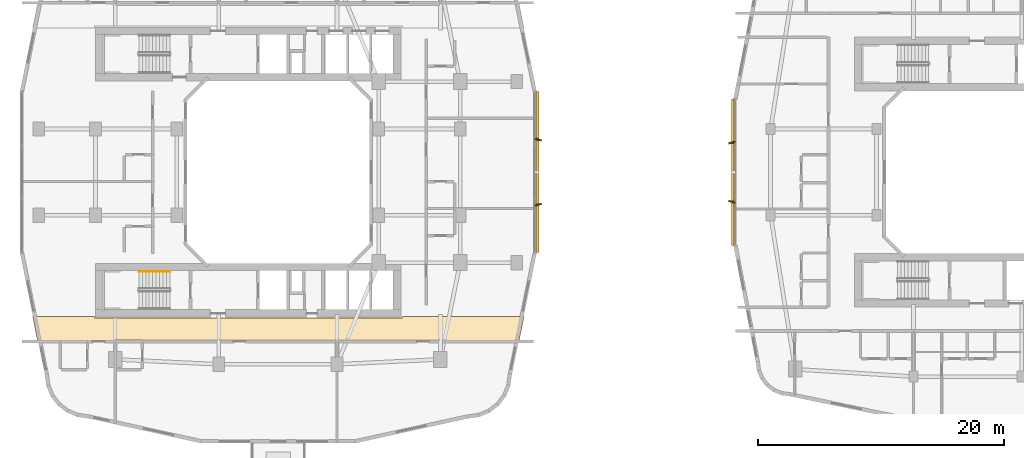
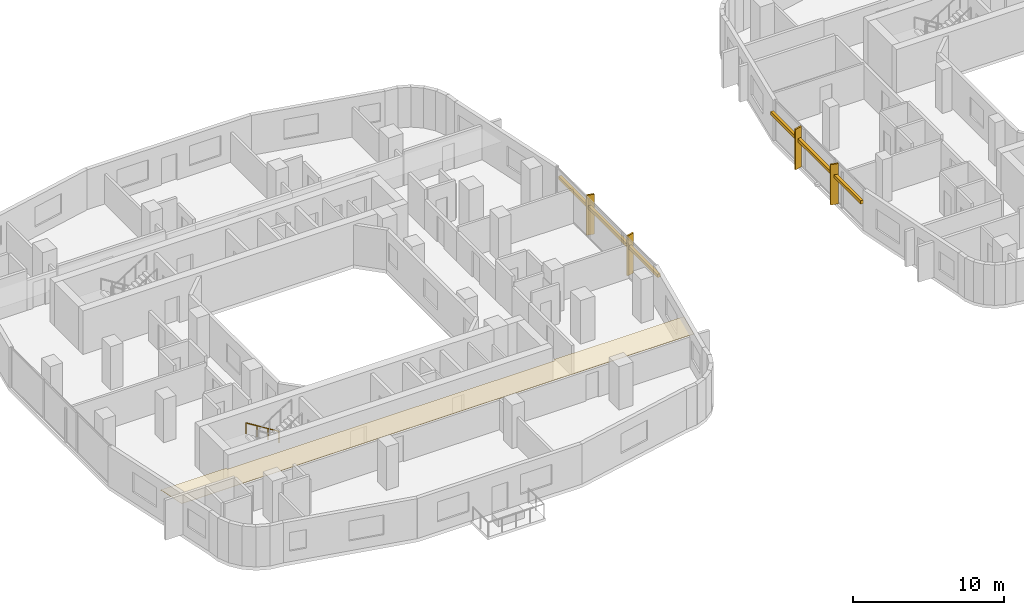
# One storey, part 19 of 22: 6 shading devices, 1 covering, 1 railing.
"""IFC4 building model written with IfcOpenShell, lengths in metres."""

from ifc_helpers import new_model, si_unit, derived_unit, direction, frame, origin, origin_2d, place, context, subcontext, project, spatial, polyline, rectangle, circle, outline, extrude, material, layer, layer_set, type_object, element, save


model = new_model("IFC4")

# Units and contexts
model_context = context("Model", 3, precision=1e-05, world=origin(), true_north=direction((0.0, 1.0)))
body_context = subcontext(model_context, "Body", "Model", "MODEL_VIEW")
ifc_project = project(units=[si_unit("LENGTHUNIT", "METRE"), si_unit("AREAUNIT", "SQUARE_METRE"), si_unit("VOLUMEUNIT", "CUBIC_METRE"), si_unit("PLANEANGLEUNIT", "RADIAN"), si_unit("MASSUNIT", "GRAM", prefix="KILO"), derived_unit("THERMALTRANSMITTANCEUNIT", [(si_unit("POWERUNIT", "WATT"), 1), (si_unit("LENGTHUNIT", "METRE"), -2), (si_unit("THERMODYNAMICTEMPERATUREUNIT", "KELVIN"), -1)])], contexts=[model_context])

# Site, building, storey
site_placement = place(None, origin())
site = spatial("IfcSite", under=ifc_project, at=site_placement, CompositionType="ELEMENT")
building_placement = place(site_placement, origin())
building = spatial("IfcBuilding", under=site, at=building_placement, Name="Kivonza Crest Hotel", CompositionType="ELEMENT")
storey_placement = place(building_placement, frame((0.0, 0.0, 27.5)))
storey = spatial("IfcBuildingStorey", under=building, at=storey_placement, Name="L06", CompositionType="ELEMENT", Elevation=27.5)

# Covering
ifc_material_1 = material(Name="Mineral-fibre acoustic ceiling tile", Category="gypsum")
ifc_layer = layer(ifc_material_1, 0.02490234375)
ifc_layer_set = layer_set([ifc_layer], Name="Mineral-fibre acoustic ceiling tile")
covering_type = type_object("IfcCoveringType", Name="CV-CEIL-ACOU", PredefinedType="CEILING", material=ifc_layer_set)
covering_placement = place(storey_placement, frame((0.0, 0.0, 2.449951171875)))
element("IfcCovering", 1, at=covering_placement, inside=storey, type_object=covering_type, Name="L06 Hotel South Guest Corridor suspended ceiling", PredefinedType="CEILING", context=body_context, shape_type="SweptSolid", body=[
    extrude(outline(polyline([(31.10009765625, 13.2900390625), (31.10009765625, 13.139892578125), (6.10009765625, 13.139892578125), (6.10009765625, 13.280029296875), (1.083984375, 13.280029296875), (1.506103515625, 11.2099609375), (40.573974609375, 11.2099609375), (40.99609375, 13.280029296875), (33.090087890625, 13.280029296875), (33.090087890625, 13.2900390625), (31.10009765625, 13.2900390625)])), origin(), (0.0, 0.0, 1.0), 0.025146484375),
])

# Railing
ifc_material_2 = material(Name="Brushed stainless steel handrail", Category="steel")
railing_type = type_object("IfcRailingType", Name="RL-HAND-900", PredefinedType="HANDRAIL", material=ifc_material_2)
railing_placement = place(storey_placement, frame((12.239990234375, 16.949951171875, 0.175048828125)))
element("IfcRailing", 2, at=railing_placement, inside=storey, type_object=railing_type, Name="L06 ST-T1-S stair handrail 1", PredefinedType="HANDRAIL", context=body_context, shape_type="SweptSolid", body=[
    extrude(circle(Radius=0.02392578125, at=origin_2d()), frame((0.0, 0.0, 0.8759765625), z_axis=(-0.848007534815, 0.0, 0.529984170421), x_axis=(0.0, -1.0, 0.0)), (0.0, 0.0, 1.0), 2.9716796875),
    extrude(circle(Radius=0.02099609375, at=origin_2d()), origin(), (0.0, 0.0, 1.0), 0.851806640625),
    extrude(circle(Radius=0.02099609375, at=origin_2d()), frame((-0.840087890625, 0.0, 0.52490234375)), (0.0, 0.0, 1.0), 0.851806640625),
    extrude(circle(Radius=0.02099609375, at=origin_2d()), frame((-1.679931640625, 0.0, 1.050048828125)), (0.0, 0.0, 1.0), 0.851806640625),
    extrude(circle(Radius=0.02099609375, at=origin_2d()), frame((-2.52001953125, 0.0, 1.574951171875)), (0.0, 0.0, 1.0), 0.851806640625),
])

# Shading devices
ifc_material_3 = material(Name="Kiln-fired Nairobi red-ochre terracotta", Category="masonry")
shading_device_type_1 = type_object("IfcShadingDeviceType", Name="SH-BAGUETTE-300", PredefinedType="USERDEFINED", material=ifc_material_3)
shading_device_1_placement = place(storey_placement, frame((42.080078125, 25.0, 2.1240234375), z_axis=(0.0, 0.0, 1.0), x_axis=(0.0, 1.0, 0.0)))
element("IfcShadingDevice", 3, at=shading_device_1_placement, inside=storey, type_object=shading_device_type_1, Name="L06 terracotta baguette screen CW-T1-L06-17", ObjectType="BAGUETTE", PredefinedType="USERDEFINED", context=body_context, shape_type="SweptSolid", body=[
    extrude(rectangle(XDim=13.080078125, YDim=0.219970703125, at=origin_2d()), origin(), (0.0, 0.0, 1.0), 0.260009765625),
])
shading_device_2_placement = place(storey_placement, frame((57.919921875, 25.0, 2.14501953125), z_axis=(0.0, 0.0, 1.0), x_axis=(0.0, -1.0, 0.0)))
element("IfcShadingDevice", 4, at=shading_device_2_placement, inside=storey, type_object=shading_device_type_1, Name="L06 terracotta baguette screen CW-T2-L06-35", ObjectType="BAGUETTE", PredefinedType="USERDEFINED", context=body_context, shape_type="SweptSolid", body=[
    extrude(rectangle(XDim=11.8798828125, YDim=0.219970703125, at=origin_2d()), origin(), (0.0, 0.0, 1.0), 0.260009765625),
])
ifc_material_4 = material(Name="Kiln-fired terracotta over extruded aluminium spine", Category="masonry")
shading_device_type_2 = type_object("IfcShadingDeviceType", Name="SH-FIN-550", PredefinedType="USERDEFINED", material=ifc_material_4)
for number, where, z_axis, x_axis, name in (
    (5, (42.139892578125, 22.360107421875, 0.0), (0.0, 0.0, 1.0), (-0.2419218956, 0.970295726276, 0.0), "L06 vertical solar shading fin CW-T1-L06-17-1"),
    (6, (42.139892578125, 27.639892578125, 0.0), (0.0, 0.0, 1.0), (0.2419218956, 0.970295726276, 0.0), "L06 vertical solar shading fin CW-T1-L06-17-2"),
):
    element("IfcShadingDevice", number, at=place(storey_placement, frame(where, z_axis=z_axis, x_axis=x_axis)), inside=storey, type_object=shading_device_type_2, Name=name, ObjectType="FIN", PredefinedType="USERDEFINED", context=body_context, shape_type="SweptSolid", body=[
        extrude(rectangle(XDim=0.1201171875, YDim=0.550048828125, at=origin_2d()), origin(), (0.0, 0.0, 1.0), 3.219970703125),
    ])
for number, where, z_axis, x_axis, name in (
    (7, (57.860107421875, 27.39990234375, 0.0), (0.0, 0.0, 1.0), (0.2419218956, -0.970295726276, 0.0), "L06 vertical solar shading fin CW-T2-L06-35-1"),
    (8, (57.860107421875, 22.60009765625, 0.0), (0.0, 0.0, 1.0), (-0.2419218956, -0.970295726276, 0.0), "L06 vertical solar shading fin CW-T2-L06-35-2"),
):
    element("IfcShadingDevice", number, at=place(storey_placement, frame(where, z_axis=z_axis, x_axis=x_axis)), inside=storey, type_object=shading_device_type_2, Name=name, ObjectType="FIN", PredefinedType="USERDEFINED", context=body_context, shape_type="SweptSolid", body=[
        extrude(rectangle(XDim=0.1201171875, YDim=0.550048828125, at=origin_2d()), origin(), (0.0, 0.0, 1.0), 3.25),
    ])

save(model, "model.ifc")
